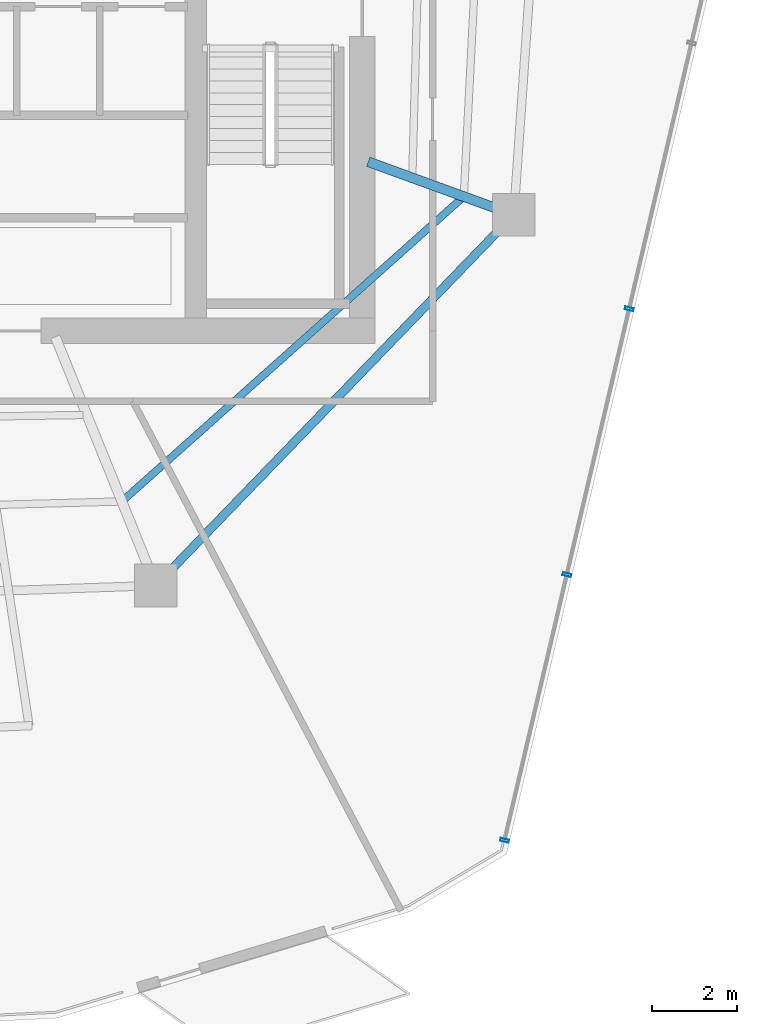
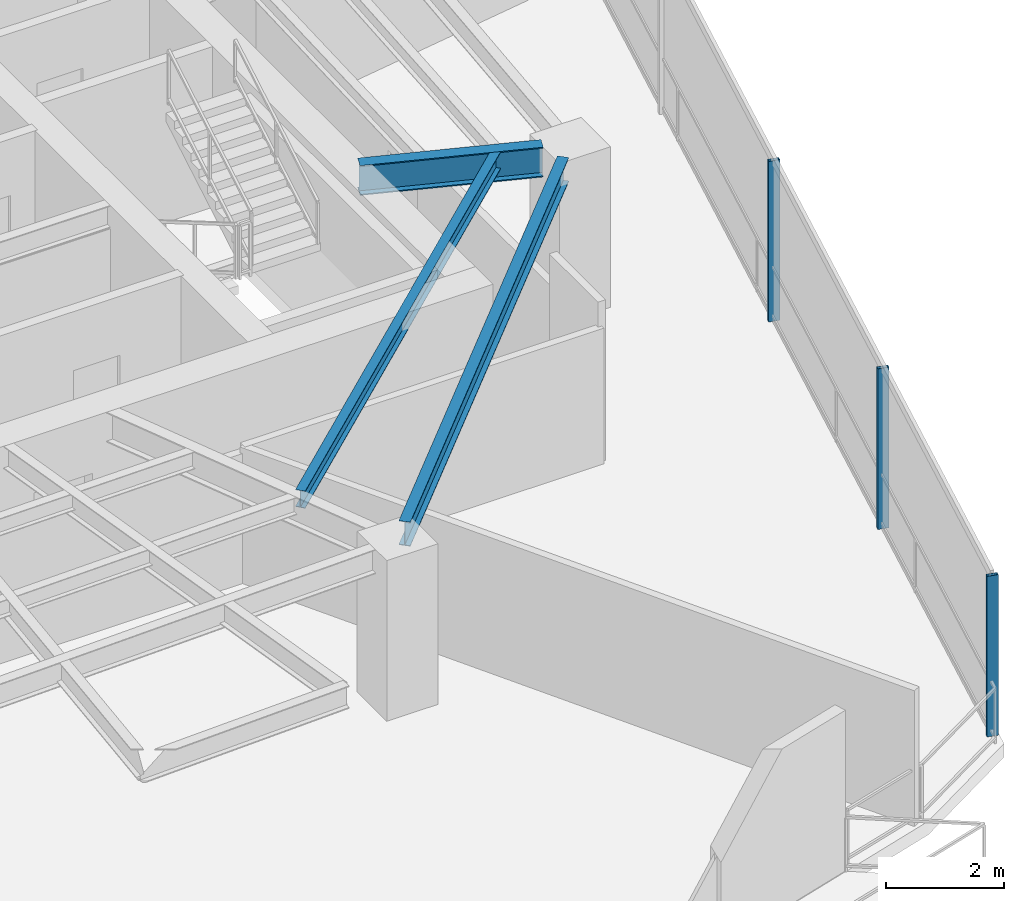
# One storey, part 8 of 19: 3 beams, 3 members, 1 element without a shape of its own.
"""IFC4 building model written with IfcOpenShell, lengths in metres."""

import ifcopenshell
import ifcopenshell.guid

model = None  # the IFC model being written
_history = None  # IfcOwnerHistory: only IFC2X3 demands one
_inside = {}  # id of a spatial element -> (the spatial element, [elements in it])
_under = {}  # id of a project, library or spatial element -> (it, [spatial elements below it])
_declared = {}  # id of a project -> (the project, [libraries it declares])
_typed = {}  # id of a type object -> (the type object, [elements of that type])
_made_of = {}  # id of a material, layer set ... -> (it, [elements and type objects made of it])


def new_model(schema):
    """Start an empty IFC model of exactly this schema.

    Asked for "IFC4X3", IfcOpenShell would pick the latest addendum, in which some entities
    have other attributes; the version numbers below select the first issue.
    IFC2X3 requires an IfcOwnerHistory on every rooted entity: one is made here for all.
    """
    global model, _history
    if schema == "IFC4X3":
        model = ifcopenshell.file(schema_version=(4, 3, 0, 0))
    else:
        model = ifcopenshell.file(schema=schema)
    _inside.clear()
    _under.clear()
    _declared.clear()
    _typed.clear()
    _made_of.clear()
    _history = None
    if model.schema == "IFC2X3":
        org = make("IfcOrganization", Name="unknown")
        user = make(
            "IfcPersonAndOrganization",
            ThePerson=make("IfcPerson", FamilyName="unknown"),
            TheOrganization=org,
        )
        app = make(
            "IfcApplication",
            ApplicationDeveloper=org,
            Version="unknown",
            ApplicationFullName="unknown",
            ApplicationIdentifier="unknown",
        )
        _history = make(
            "IfcOwnerHistory",
            OwningUser=user,
            OwningApplication=app,
            ChangeAction="ADDED",
            CreationDate=0,
        )
    return model


def make(cls, **values):
    """One entity of the class cls with the attributes given. An attribute that is None is left unset."""
    return model.create_entity(
        cls, **{name: value for name, value in values.items() if value is not None}
    )


def rooted(cls, **values):
    """An entity with a GlobalId (a new one), such as an element, a storey or a relation."""
    return make(cls, GlobalId=ifcopenshell.guid.new(), OwnerHistory=_history, **values)


def si_unit(unit_type, name, prefix=None):
    """IfcSIUnit, for example si_unit("LENGTHUNIT", "METRE", prefix="MILLI")."""
    return make("IfcSIUnit", UnitType=unit_type, Prefix=prefix, Name=name)


def assignment(units):
    """IfcUnitAssignment: the units of a project."""
    return None if units is None else make("IfcUnitAssignment", Units=units)


def point(xyz):
    """IfcCartesianPoint."""
    return None if xyz is None else make("IfcCartesianPoint", Coordinates=xyz)


def direction(xyz):
    """IfcDirection."""
    return None if xyz is None else make("IfcDirection", DirectionRatios=xyz)


def frame(location, z_axis=None, x_axis=None):
    """IfcAxis2Placement3D, a coordinate frame: its origin and axes. An axis left out is left unset."""
    return make(
        "IfcAxis2Placement3D",
        Location=point(location),
        Axis=direction(z_axis),
        RefDirection=direction(x_axis),
    )


def frame_2d(location, x_axis=None):
    """IfcAxis2Placement2D, a coordinate frame in the plane: its origin and x axis."""
    return make(
        "IfcAxis2Placement2D", Location=point(location), RefDirection=direction(x_axis)
    )


def origin():
    """The frame at (0, 0, 0) with its axes left unset."""
    return frame((0.0, 0.0, 0.0))


def origin_2d():
    """The frame at (0, 0) in the plane with its x axis left unset."""
    return frame_2d((0.0, 0.0))


def place(relative_to, where):
    """IfcLocalPlacement: puts the frame where relative to a parent placement (None: the world)."""
    return make(
        "IfcLocalPlacement", PlacementRelTo=relative_to, RelativePlacement=where
    )


def context(
    kind, dimensions, precision=None, world=None, true_north=None, identifier=None
):
    """IfcGeometricRepresentationContext, for example the 3D "Model" context."""
    return make(
        "IfcGeometricRepresentationContext",
        ContextIdentifier=identifier,
        ContextType=kind,
        CoordinateSpaceDimension=dimensions,
        Precision=precision,
        WorldCoordinateSystem=world,
        TrueNorth=true_north,
    )


def subcontext(parent, identifier, kind, view, scale=None):
    """IfcGeometricRepresentationSubContext, for example "Body" below "Model"."""
    return make(
        "IfcGeometricRepresentationSubContext",
        ContextIdentifier=identifier,
        ContextType=kind,
        ParentContext=parent,
        TargetScale=scale,
        TargetView=view,
    )


def project(units=None, contexts=None):
    """IfcProject with its units and contexts."""
    return rooted(
        "IfcProject",
        Name="project",
        RepresentationContexts=contexts,
        UnitsInContext=assignment(units),
    )


def spatial(cls, under=None, at=None, **own):
    """A site, building, storey or space (cls), placed at a placement, below another one or the project."""
    s = rooted(cls, ObjectPlacement=at, **own)
    if under is not None:
        _under.setdefault(under.id(), (under, []))[1].append(s)
    return s


def profile(cls, at=None, kind="AREA", **sizes):
    """A parametric profile (cls). Its sizes go by their IFC names, for example OverallWidth=200.0."""
    return make(cls, ProfileType=kind, Position=at, **sizes)


def hollow_rectangle(**sizes):
    """IfcRectangleHollowProfileDef."""
    return profile("IfcRectangleHollowProfileDef", **sizes)


def i_section(**sizes):
    """IfcIShapeProfileDef."""
    return profile("IfcIShapeProfileDef", **sizes)


def extrude(swept, where, along, depth):
    """IfcExtrudedAreaSolid: the profile swept, set in the frame where, extruded along a direction by depth."""
    return make(
        "IfcExtrudedAreaSolid",
        SweptArea=swept,
        Position=where,
        ExtrudedDirection=direction(along),
        Depth=depth,
    )


def shape(context_of_items, identifier, shape_type, items):
    """IfcShapeRepresentation: the items that make up one representation, for example the "Body"."""
    return make(
        "IfcShapeRepresentation",
        ContextOfItems=context_of_items,
        RepresentationIdentifier=identifier,
        RepresentationType=shape_type,
        Items=items,
    )


def material(Name=None, Category=None):
    """IfcMaterial."""
    return make("IfcMaterial", Name=Name, Category=Category)


def layer(
    of_material, thickness, ventilated=None, Name=None, Category=None, Priority=None
):
    """IfcMaterialLayer: one layer of a wall or slab, of a material (None: an air gap)."""
    return make(
        "IfcMaterialLayer",
        Material=of_material,
        LayerThickness=thickness,
        IsVentilated=ventilated,
        Name=Name,
        Category=Category,
        Priority=Priority,
    )


def layer_set(layers, Name=None):
    """IfcMaterialLayerSet."""
    return make("IfcMaterialLayerSet", MaterialLayers=layers, LayerSetName=Name)


def material_profile(
    of_material, cross_section, Name=None, Category=None, Priority=None
):
    """IfcMaterialProfile: a cross section and its material."""
    return make(
        "IfcMaterialProfile",
        Name=Name,
        Material=of_material,
        Profile=cross_section,
        Priority=Priority,
        Category=Category,
    )


def profile_set(profiles, Name=None, composite=None):
    """IfcMaterialProfileSet."""
    return make(
        "IfcMaterialProfileSet",
        Name=Name,
        MaterialProfiles=profiles,
        CompositeProfile=composite,
    )


def made_of(thing, what):
    """Note that an element or type object is made of a material, layer set ...; save() writes the relation."""
    if what is not None:
        _made_of.setdefault(what.id(), (what, []))[1].append(thing)
    return thing


def type_object(cls, material=None, **own):
    """A type object (cls), such as IfcWallType, which elements share."""
    return made_of(rooted(cls, **own), material)


def element(
    cls,
    number,
    at=None,
    inside=None,
    cuts=None,
    type_object=None,
    material=None,
    context=None,
    identifier="Body",
    shape_type=None,
    held_by="IfcProductDefinitionShape",
    body=None,
    shapes=None,
    **own,
):
    """One element of the class cls, such as IfcWall. Its Tag is "e" and its number.

    at: its placement. inside: the storey or other place that contains it. cuts: it is an
    opening in that element (IfcRelVoidsElement). A single representation is given by context,
    identifier, shape_type and body (its items); several are given by shapes. held_by: the class
    of the entity that holds the representations. save() writes the other relations.
    """
    e = rooted(cls, Tag="e%d" % number, ObjectPlacement=at, **own)
    if body is not None:
        shapes = [shape(context, identifier, shape_type, body)]
    if shapes is not None:
        e.Representation = make(held_by, Representations=shapes)
    if inside is not None:
        _inside.setdefault(inside.id(), (inside, []))[1].append(e)
    if cuts is not None:
        rooted(
            "IfcRelVoidsElement", RelatingBuildingElement=cuts, RelatedOpeningElement=e
        )
    if type_object is not None:
        _typed.setdefault(type_object.id(), (type_object, []))[1].append(e)
    return made_of(e, material)


def aggregate(whole, parts):
    """IfcRelAggregates: a whole, such as a stair, and the parts it consists of."""
    return rooted("IfcRelAggregates", RelatingObject=whole, RelatedObjects=parts)


def save(model, path):
    """Write the relations noted so far, then the file.

    IfcRelAggregates (storeys below a building ...), IfcRelContainedInSpatialStructure (elements
    in a storey), IfcRelDefinesByType, IfcRelAssociatesMaterial and IfcRelDeclares: one each for
    every whole, place, type object, material and project.
    """
    for whole, parts in _under.values():
        aggregate(whole, parts)
    for where, things in _inside.values():
        rooted(
            "IfcRelContainedInSpatialStructure",
            RelatedElements=things,
            RelatingStructure=where,
        )
    for kind, things in _typed.values():
        rooted("IfcRelDefinesByType", RelatedObjects=things, RelatingType=kind)
    for what, things in _made_of.values():
        rooted("IfcRelAssociatesMaterial", RelatedObjects=things, RelatingMaterial=what)
    for by, libraries in _declared.values():
        rooted("IfcRelDeclares", RelatingContext=by, RelatedDefinitions=libraries)
    model.write(path)


model = new_model("IFC4")

# Units and contexts
model_context = context("Model", 3, precision=1e-05, world=origin(), true_north=direction((0.0, 1.0)))
body_context = subcontext(model_context, "Body", "Model", "MODEL_VIEW")
ifc_project = project(units=[si_unit("LENGTHUNIT", "METRE"), si_unit("AREAUNIT", "SQUARE_METRE"), si_unit("VOLUMEUNIT", "CUBIC_METRE"), si_unit("PLANEANGLEUNIT", "RADIAN"), si_unit("MASSUNIT", "GRAM", prefix="KILO")], contexts=[model_context])

# Site, building, storey
site_placement = place(None, origin())
site = spatial("IfcSite", under=ifc_project, at=site_placement, CompositionType="ELEMENT")
building_placement = place(site_placement, origin())
building = spatial("IfcBuilding", under=site, at=building_placement, Name="Qarnah Convention Tower", CompositionType="ELEMENT")
storey_placement = place(building_placement, frame((0.0, 0.0, 129.300048828125)))
storey = spatial("IfcBuildingStorey", under=building, at=storey_placement, Name="L34", CompositionType="ELEMENT", Elevation=129.300048828125)

# Beams
ifc_material_1 = material(Name="Structural steel S355JR", Category="steel")
ifc_material_profile_1 = material_profile(ifc_material_1, i_section(OverallWidth=0.172119140625, OverallDepth=0.35595703125, WebThickness=0.007080078125, FlangeThickness=0.011962890625, at=origin_2d()), Name="W360X51")
ifc_profile_set_1 = profile_set([ifc_material_profile_1], Name="Structural steel S355JR")
beam_type_1 = type_object("IfcBeamType", Name="BM-JST-W360", PredefinedType="JOIST", material=ifc_profile_set_1)
beam_1_placement = place(storey_placement, frame((42.033935546875, 14.660888671875, 3.141845703125), z_axis=(0.746348207253, 0.66555567275, 0.0), x_axis=(-0.66555567275, 0.746348207253, 0.0)))
element("IfcBeam", 1, at=beam_1_placement, inside=storey, type_object=beam_type_1, Name="L34 joist BM-L34-SJST-08", PredefinedType="JOIST", context=body_context, shape_type="SweptSolid", body=[
    extrude(i_section(OverallWidth=0.172119140625, OverallDepth=0.35595703125, WebThickness=0.007080078125, FlangeThickness=0.011962890625, at=origin_2d()), origin(), (0.0, 0.0, 1.0), 10.558349609375),
])
ifc_material_profile_2 = material_profile(ifc_material_1, i_section(OverallWidth=0.22998046875, OverallDepth=0.617919921875, WebThickness=0.012939453125, FlangeThickness=0.02197265625, at=origin_2d()), Name="W610X140")
ifc_profile_set_2 = profile_set([ifc_material_profile_2], Name="Structural steel S355JR")
beam_type_2 = type_object("IfcBeamType", Name="BM-RAD-W610A", PredefinedType="BEAM", material=ifc_profile_set_2)
beam_2_placement = place(storey_placement, frame((47.740966796875, 22.56396484375, 3.010986328125), z_axis=(0.939610124669, -0.342246714549, 0.0), x_axis=(0.342246714549, 0.939610124669, 0.0)))
element("IfcBeam", 2, at=beam_2_placement, inside=storey, type_object=beam_type_2, Name="L34 beam BM-L34-RAD-09", PredefinedType="BEAM", context=body_context, shape_type="SweptSolid", body=[
    extrude(i_section(OverallWidth=0.22998046875, OverallDepth=0.617919921875, WebThickness=0.012939453125, FlangeThickness=0.02197265625, at=origin_2d()), origin(), (0.0, 0.0, 1.0), 3.15234375),
])
ifc_material_profile_3 = material_profile(ifc_material_1, i_section(OverallWidth=0.199951171875, OverallDepth=0.5, WebThickness=0.010009765625, FlangeThickness=0.01611328125, at=origin_2d()), Name="IPE500")
ifc_profile_set_3 = profile_set([ifc_material_profile_3], Name="Structural steel S355JR")
beam_type_3 = type_object("IfcBeamType", Name="BM-SPN-IPE500", PredefinedType="SPANDREL", material=ifc_profile_set_3)
beam_3_placement = place(storey_placement, frame((43.10302734375, 12.98291015625, 3.070068359375), z_axis=(0.694605503013, 0.719390850084, 0.0), x_axis=(-0.719390850084, 0.694605503013, 0.0)))
element("IfcBeam", 3, at=beam_3_placement, inside=storey, type_object=beam_type_3, Name="L34 spandrel BM-L34-SPN-08", PredefinedType="SPANDREL", context=body_context, shape_type="SweptSolid", body=[
    extrude(i_section(OverallWidth=0.199951171875, OverallDepth=0.5, WebThickness=0.010009765625, FlangeThickness=0.01611328125, at=origin_2d()), origin(), (0.0, 0.0, 1.0), 11.10107421875),
])

# Curtain wall, members
ifc_material_2 = material(Name="Tempered Low-E dark glass", Category="glass")
ifc_layer = layer(ifc_material_2, 0.172119140625)
ifc_layer_set = layer_set([ifc_layer], Name="Tempered Low-E dark glass")
curtain_wall_type = type_object("IfcCurtainWallType", Name="CWS-03", PredefinedType="NOTDEFINED", material=ifc_layer_set)
curtain_wall_placement = place(storey_placement, origin())
curtain_wall = element("IfcCurtainWall", 4, at=curtain_wall_placement, inside=storey, type_object=curtain_wall_type, Name="L34 unitised curtain wall CW-L34-F3", PredefinedType="NOTDEFINED")
ifc_material_3 = material(Name="Black anodised aluminium", Category="aluminium")
ifc_material_profile_4 = material_profile(ifc_material_3, hollow_rectangle(XDim=0.070068359375, YDim=0.199951171875, WallThickness=0.0048828125, at=origin_2d()), Name="MUL-70X200")
ifc_profile_set_4 = profile_set([ifc_material_profile_4], Name="Black anodised aluminium")
member_type = type_object("IfcMemberType", Name="MUL-T3", PredefinedType="MULLION", material=ifc_profile_set_4)
member_1_placement = place(storey_placement, frame((53.860107421875, 19.114501953125, 0.0), z_axis=(0.0, 0.0, 1.0), x_axis=(-0.228344107227, -0.973580489069, 0.0)))
member_1 = element("IfcMember", 5, at=member_1_placement, type_object=member_type, Name="CW-L34-F3 mullion 4", PredefinedType="MULLION", context=body_context, shape_type="SweptSolid", body=[
    extrude(hollow_rectangle(XDim=0.070068359375, YDim=0.199951171875, WallThickness=0.0048828125, at=origin_2d()), origin(), (0.0, 0.0, 1.0), 3.320068359375),
])
member_2_placement = place(storey_placement, frame((52.39892578125, 12.88525390625, 0.0), z_axis=(0.0, 0.0, 1.0), x_axis=(-0.228344107227, -0.973580489069, 0.0)))
member_2 = element("IfcMember", 6, at=member_2_placement, type_object=member_type, Name="CW-L34-F3 mullion 5", PredefinedType="MULLION", context=body_context, shape_type="SweptSolid", body=[
    extrude(hollow_rectangle(XDim=0.070068359375, YDim=0.199951171875, WallThickness=0.0048828125, at=origin_2d()), origin(), (0.0, 0.0, 1.0), 3.320068359375),
])
member_3_placement = place(storey_placement, frame((50.93798828125, 6.656005859375, 0.0), z_axis=(0.0, 0.0, 1.0), x_axis=(-0.228344107227, -0.973580489069, 0.0)))
member_3 = element("IfcMember", 7, at=member_3_placement, type_object=member_type, Name="CW-L34-F3 mullion 6", PredefinedType="MULLION", context=body_context, shape_type="SweptSolid", body=[
    extrude(hollow_rectangle(XDim=0.070068359375, YDim=0.199951171875, WallThickness=0.0048828125, at=origin_2d()), origin(), (0.0, 0.0, 1.0), 3.320068359375),
])
aggregate(curtain_wall, [member_1, member_2, member_3])

save(model, "model.ifc")
